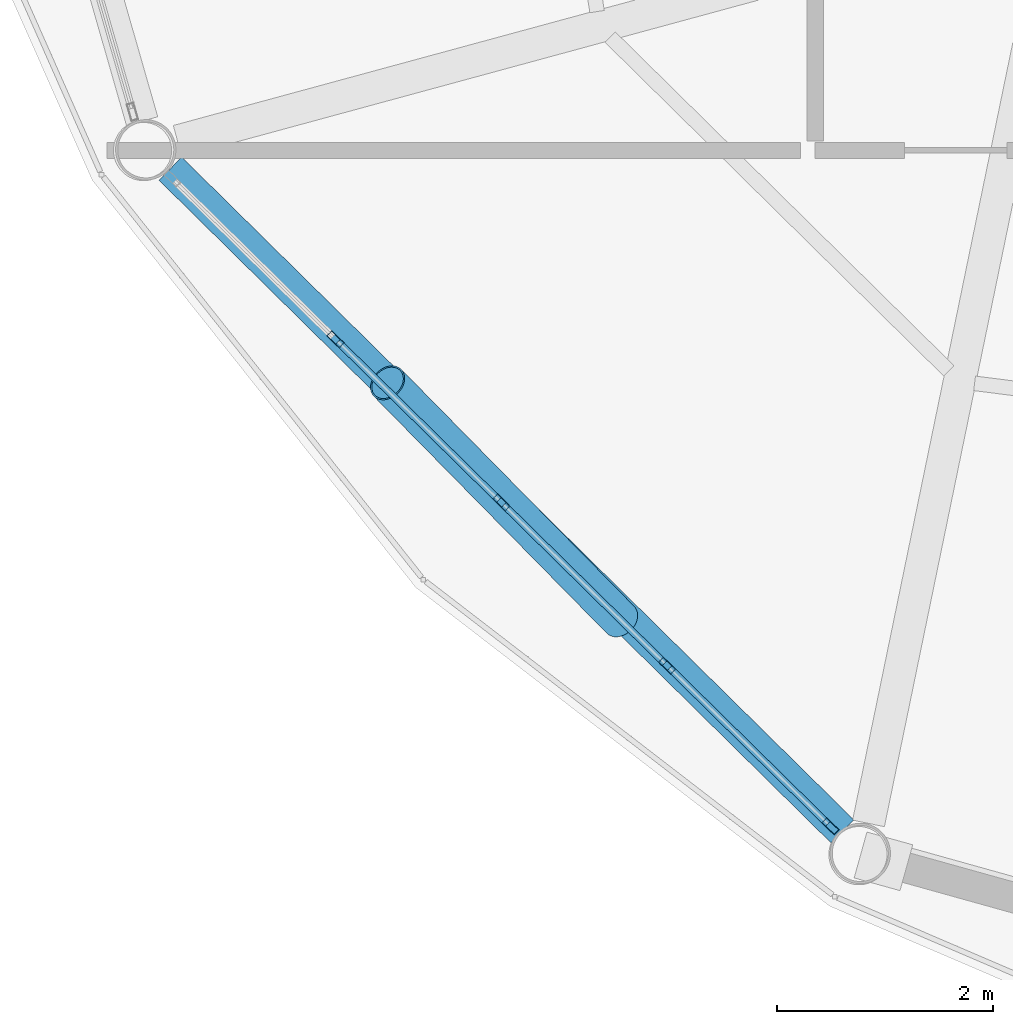
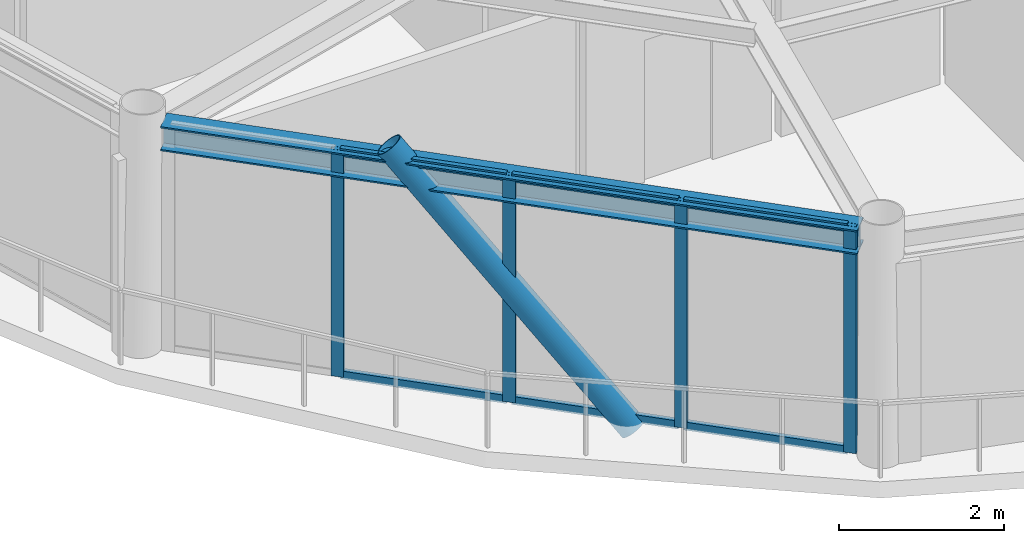
# One storey, part 2 of 27: 11 members, 1 beam, 1 element without a shape of its own.
"""IFC4 building model written with IfcOpenShell, lengths in metres."""

from ifc_helpers import new_model, si_unit, direction, frame, origin, origin_2d, place, context, subcontext, project, spatial, hollow_rectangle, hollow_circle, i_section, extrude, material, layer, layer_set, material_profile, profile_set, type_object, element, aggregate, save


model = new_model("IFC4")

# Units and contexts
model_context = context("Model", 3, precision=1e-05, world=origin(), true_north=direction((0.0, 1.0)))
body_context = subcontext(model_context, "Body", "Model", "MODEL_VIEW")
ifc_project = project(units=[si_unit("LENGTHUNIT", "METRE"), si_unit("AREAUNIT", "SQUARE_METRE"), si_unit("VOLUMEUNIT", "CUBIC_METRE"), si_unit("PLANEANGLEUNIT", "RADIAN"), si_unit("MASSUNIT", "GRAM", prefix="KILO")], contexts=[model_context])

# Site, building, storey
site_placement = place(None, origin())
site = spatial("IfcSite", under=ifc_project, at=site_placement, CompositionType="ELEMENT")
building_placement = place(site_placement, origin())
building = spatial("IfcBuilding", under=site, at=building_placement, Name="Varnakorn Sky Granary", CompositionType="ELEMENT")
storey_placement = place(building_placement, frame((0.0, 0.0, 263.39990234375)))
storey = spatial("IfcBuildingStorey", under=building, at=storey_placement, Name="L67", CompositionType="ELEMENT", Elevation=263.39990234375)

# Beam
ifc_material_1 = material(Name="Steel S355JR", Category="steel")
ifc_material_profile_1 = material_profile(ifc_material_1, i_section(OverallWidth=0.300048828125, OverallDepth=0.360107421875, WebThickness=0.012451171875, FlangeThickness=0.0224609375, at=origin_2d()), Name="HE 360 B")
ifc_profile_set_1 = profile_set([ifc_material_profile_1], Name="Steel S355JR")
beam_type = type_object("IfcBeamType", Name="BM-SPD-Z5", PredefinedType="SPANDREL", material=ifc_profile_set_1)
beam_placement = place(storey_placement, frame((-10.568359375, -9.069580078125, 3.18017578125), z_axis=(0.712078619824, -0.702099735927, 0.0), x_axis=(0.702099735927, 0.712078619824, 0.0)))
element("IfcBeam", 1, at=beam_placement, inside=storey, type_object=beam_type, Name="Perimeter Spandrel Ring Beam RB08 L67", PredefinedType="SPANDREL", context=body_context, shape_type="SweptSolid", body=[
    extrude(i_section(OverallWidth=0.300048828125, OverallDepth=0.360107421875, WebThickness=0.012451171875, FlangeThickness=0.0224609375, at=origin_2d()), origin(), (0.0, 0.0, 1.0), 8.734375),
])

# Curtain wall, members
ifc_material_2 = material(Name="Anodised Bronze Aluminium Alloy 6063-T6", Category="aluminium")
ifc_layer = layer(ifc_material_2, 0.159912109375, Name="Anodised Bronze Aluminium Alloy 6063-T6")
ifc_layer_set = layer_set([ifc_layer], Name="Anodised Bronze Aluminium Alloy 6063-T6")
curtain_wall_type = type_object("IfcCurtainWallType", Name="CW-OFF-1", PredefinedType="USERDEFINED", material=ifc_layer_set)
curtain_wall_placement = place(storey_placement, origin())
curtain_wall = element("IfcCurtainWall", 2, at=curtain_wall_placement, inside=storey, type_object=curtain_wall_type, Name="Unitised Curtain Wall CW6 CW-L67-B08", ObjectType="CURTAIN WALL", PredefinedType="USERDEFINED")
ifc_material_profile_2 = material_profile(ifc_material_2, hollow_rectangle(XDim=0.06494140625, YDim=0.159912109375, WallThickness=0.00341796875, at=origin_2d()), Name="ALU MULL 65x160")
ifc_profile_set_2 = profile_set([ifc_material_profile_2], Name="Anodised Bronze Aluminium Alloy 6063-T6")
member_type_1 = type_object("IfcMemberType", Name="CW-OFF-1-MULL", PredefinedType="MULLION", material=ifc_profile_set_2)
member_1_placement = place(storey_placement, frame((-4.459716796875, -15.156005859375, 0.0), z_axis=(0.0, 0.0, 1.0), x_axis=(-0.701440030116, -0.71272847856, 0.0)))
member_1 = element("IfcMember", 3, at=member_1_placement, type_object=member_type_1, Name="CW6 mullion 1", PredefinedType="MULLION", context=body_context, shape_type="SweptSolid", body=[
    extrude(hollow_rectangle(XDim=0.06494140625, YDim=0.159912109375, WallThickness=0.00341796875, at=origin_2d()), origin(), (0.0, 0.0, 1.0), 3.360107421875),
])
member_2_placement = place(storey_placement, frame((-5.970703125, -13.6689453125, 0.0), z_axis=(0.0, 0.0, 1.0), x_axis=(-0.701440030116, -0.71272847856, 0.0)))
member_2 = element("IfcMember", 4, at=member_2_placement, type_object=member_type_1, Name="CW6 mullion 2", PredefinedType="MULLION", context=body_context, shape_type="SweptSolid", body=[
    extrude(hollow_rectangle(XDim=0.06494140625, YDim=0.159912109375, WallThickness=0.00341796875, at=origin_2d()), origin(), (0.0, 0.0, 1.0), 3.360107421875),
])
member_3_placement = place(storey_placement, frame((-7.5048828125, -12.158935546875, 0.0), z_axis=(0.0, 0.0, 1.0), x_axis=(-0.701440030116, -0.71272847856, 0.0)))
member_3 = element("IfcMember", 5, at=member_3_placement, type_object=member_type_1, Name="CW6 mullion 3", PredefinedType="MULLION", context=body_context, shape_type="SweptSolid", body=[
    extrude(hollow_rectangle(XDim=0.06494140625, YDim=0.159912109375, WallThickness=0.00341796875, at=origin_2d()), origin(), (0.0, 0.0, 1.0), 3.360107421875),
])
member_4_placement = place(storey_placement, frame((-9.039306640625, -10.649169921875, 0.0), z_axis=(0.0, 0.0, 1.0), x_axis=(-0.701440030116, -0.71272847856, 0.0)))
member_4 = element("IfcMember", 6, at=member_4_placement, type_object=member_type_1, Name="CW6 mullion 4", PredefinedType="MULLION", context=body_context, shape_type="SweptSolid", body=[
    extrude(hollow_rectangle(XDim=0.06494140625, YDim=0.159912109375, WallThickness=0.00341796875, at=origin_2d()), origin(), (0.0, 0.0, 1.0), 3.360107421875),
])
ifc_material_profile_3 = material_profile(ifc_material_2, hollow_rectangle(XDim=0.06494140625, YDim=0.1201171875, WallThickness=0.00341796875, at=origin_2d()), Name="ALU TRAN 65x120")
ifc_profile_set_3 = profile_set([ifc_material_profile_3], Name="Anodised Bronze Aluminium Alloy 6063-T6")
member_type_2 = type_object("IfcMemberType", Name="CW-OFF-1-TRAN", PredefinedType="USERDEFINED", material=ifc_profile_set_3)
member_5_placement = place(storey_placement, frame((-4.48291015625, -15.13330078125, 0.03271484375), z_axis=(-0.712668234891, 0.701501238044, 0.0), x_axis=(-0.701501238044, -0.712668234891, 0.0)))
member_5 = element("IfcMember", 7, at=member_5_placement, type_object=member_type_2, Name="CW6 transom 1.1", ObjectType="TRANSOM", PredefinedType="USERDEFINED", context=body_context, shape_type="SweptSolid", body=[
    extrude(hollow_rectangle(XDim=0.06494140625, YDim=0.1201171875, WallThickness=0.00341796875, at=origin_2d()), origin(), (0.0, 0.0, 1.0), 2.05517578125),
])
member_6_placement = place(storey_placement, frame((-4.48291015625, -15.13330078125, 3.32763671875), z_axis=(-0.712668234891, 0.701501238044, 0.0), x_axis=(-0.701501238044, -0.712668234891, 0.0)))
member_6 = element("IfcMember", 8, at=member_6_placement, type_object=member_type_2, Name="CW6 transom 1.2", ObjectType="TRANSOM", PredefinedType="USERDEFINED", context=body_context, shape_type="SweptSolid", body=[
    extrude(hollow_rectangle(XDim=0.06494140625, YDim=0.1201171875, WallThickness=0.00341796875, at=origin_2d()), origin(), (0.0, 0.0, 1.0), 2.05517578125),
])
member_7_placement = place(storey_placement, frame((-5.993896484375, -13.646240234375, 0.03271484375), z_axis=(-0.712755675691, 0.701412394224, 0.0), x_axis=(-0.701412394224, -0.712755675691, 0.0)))
member_7 = element("IfcMember", 9, at=member_7_placement, type_object=member_type_2, Name="CW6 transom 2.1", ObjectType="TRANSOM", PredefinedType="USERDEFINED", context=body_context, shape_type="SweptSolid", body=[
    extrude(hollow_rectangle(XDim=0.06494140625, YDim=0.1201171875, WallThickness=0.00341796875, at=origin_2d()), origin(), (0.0, 0.0, 1.0), 2.087646484375),
])
member_8_placement = place(storey_placement, frame((-5.993896484375, -13.646240234375, 3.32763671875), z_axis=(-0.712755675691, 0.701412394224, 0.0), x_axis=(-0.701412394224, -0.712755675691, 0.0)))
member_8 = element("IfcMember", 10, at=member_8_placement, type_object=member_type_2, Name="CW6 transom 2.2", ObjectType="TRANSOM", PredefinedType="USERDEFINED", context=body_context, shape_type="SweptSolid", body=[
    extrude(hollow_rectangle(XDim=0.06494140625, YDim=0.1201171875, WallThickness=0.00341796875, at=origin_2d()), origin(), (0.0, 0.0, 1.0), 2.087646484375),
])
member_9_placement = place(storey_placement, frame((-7.528076171875, -12.13623046875, 0.03271484375), z_axis=(-0.712755675691, 0.701412394224, 0.0), x_axis=(-0.701412394224, -0.712755675691, 0.0)))
member_9 = element("IfcMember", 11, at=member_9_placement, type_object=member_type_2, Name="CW6 transom 3.1", ObjectType="TRANSOM", PredefinedType="USERDEFINED", context=body_context, shape_type="SweptSolid", body=[
    extrude(hollow_rectangle(XDim=0.06494140625, YDim=0.1201171875, WallThickness=0.00341796875, at=origin_2d()), origin(), (0.0, 0.0, 1.0), 2.087646484375),
])
member_10_placement = place(storey_placement, frame((-7.528076171875, -12.13623046875, 3.32763671875), z_axis=(-0.712755675691, 0.701412394224, 0.0), x_axis=(-0.701412394224, -0.712755675691, 0.0)))
member_10 = element("IfcMember", 12, at=member_10_placement, type_object=member_type_2, Name="CW6 transom 3.2", ObjectType="TRANSOM", PredefinedType="USERDEFINED", context=body_context, shape_type="SweptSolid", body=[
    extrude(hollow_rectangle(XDim=0.06494140625, YDim=0.1201171875, WallThickness=0.00341796875, at=origin_2d()), origin(), (0.0, 0.0, 1.0), 2.087646484375),
])
aggregate(curtain_wall, [member_1, member_2, member_3, member_4, member_5, member_6, member_7, member_8, member_9, member_10])

# Member
ifc_material_3 = material(Name="Steel S460M", Category="steel")
ifc_material_profile_4 = material_profile(ifc_material_3, hollow_circle(Radius=0.177734375, WallThickness=0.01416015625, at=origin_2d()), Name="CHS 355.6x14")
ifc_profile_set_4 = profile_set([ifc_material_profile_4], Name="Steel S460M")
member_type_3 = type_object("IfcMemberType", Name="MB-DIAG-T5", PredefinedType="BRACE", material=ifc_profile_set_4)
member_11_placement = place(storey_placement, frame((-6.401611328125, -13.2451171875, -0.1298828125), z_axis=(-0.453935093117, 0.461747381857, 0.762057928628), x_axis=(-0.71311362066, -0.701048474807, 0.0)))
element("IfcMember", 13, at=member_11_placement, inside=storey, type_object=member_type_3, Name="Perimeter CHS Diagrid Brace DG08 L67", PredefinedType="BRACE", context=body_context, shape_type="SweptSolid", body=[
    extrude(hollow_circle(Radius=0.177734375, WallThickness=0.01416015625, at=origin_2d()), origin(), (0.0, 0.0, 1.0), 4.750244140625),
])

save(model, "model.ifc")
